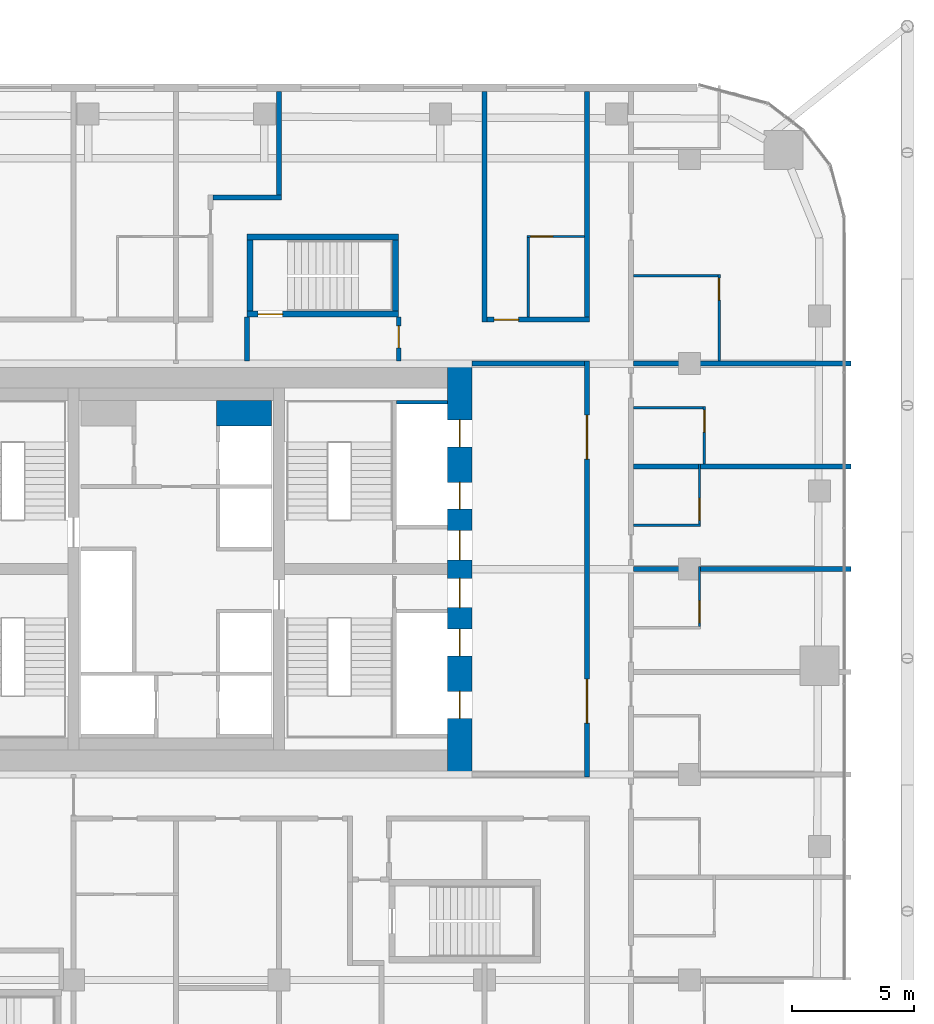
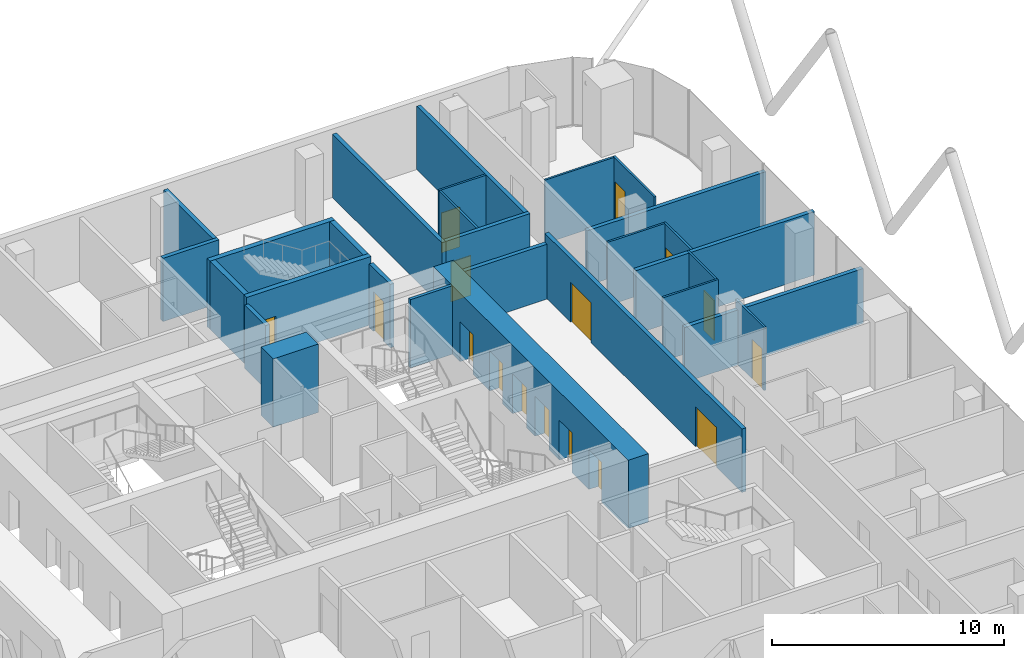
# One storey, part 30 of 33: 28 walls, 16 doors, 16 openings.
"""IFC4 building model written with IfcOpenShell, lengths in metres."""

import ifcopenshell
import ifcopenshell.guid

model = None  # the IFC model being written
_history = None  # IfcOwnerHistory: only IFC2X3 demands one
_inside = {}  # id of a spatial element -> (the spatial element, [elements in it])
_under = {}  # id of a project, library or spatial element -> (it, [spatial elements below it])
_declared = {}  # id of a project -> (the project, [libraries it declares])
_typed = {}  # id of a type object -> (the type object, [elements of that type])
_made_of = {}  # id of a material, layer set ... -> (it, [elements and type objects made of it])


def new_model(schema):
    """Start an empty IFC model of exactly this schema.

    Asked for "IFC4X3", IfcOpenShell would pick the latest addendum, in which some entities
    have other attributes; the version numbers below select the first issue.
    IFC2X3 requires an IfcOwnerHistory on every rooted entity: one is made here for all.
    """
    global model, _history
    if schema == "IFC4X3":
        model = ifcopenshell.file(schema_version=(4, 3, 0, 0))
    else:
        model = ifcopenshell.file(schema=schema)
    _inside.clear()
    _under.clear()
    _declared.clear()
    _typed.clear()
    _made_of.clear()
    _history = None
    if model.schema == "IFC2X3":
        org = make("IfcOrganization", Name="unknown")
        user = make(
            "IfcPersonAndOrganization",
            ThePerson=make("IfcPerson", FamilyName="unknown"),
            TheOrganization=org,
        )
        app = make(
            "IfcApplication",
            ApplicationDeveloper=org,
            Version="unknown",
            ApplicationFullName="unknown",
            ApplicationIdentifier="unknown",
        )
        _history = make(
            "IfcOwnerHistory",
            OwningUser=user,
            OwningApplication=app,
            ChangeAction="ADDED",
            CreationDate=0,
        )
    return model


def make(cls, **values):
    """One entity of the class cls with the attributes given. An attribute that is None is left unset."""
    return model.create_entity(
        cls, **{name: value for name, value in values.items() if value is not None}
    )


def rooted(cls, **values):
    """An entity with a GlobalId (a new one), such as an element, a storey or a relation."""
    return make(cls, GlobalId=ifcopenshell.guid.new(), OwnerHistory=_history, **values)


def si_unit(unit_type, name, prefix=None):
    """IfcSIUnit, for example si_unit("LENGTHUNIT", "METRE", prefix="MILLI")."""
    return make("IfcSIUnit", UnitType=unit_type, Prefix=prefix, Name=name)


def assignment(units):
    """IfcUnitAssignment: the units of a project."""
    return None if units is None else make("IfcUnitAssignment", Units=units)


def point(xyz):
    """IfcCartesianPoint."""
    return None if xyz is None else make("IfcCartesianPoint", Coordinates=xyz)


def direction(xyz):
    """IfcDirection."""
    return None if xyz is None else make("IfcDirection", DirectionRatios=xyz)


def frame(location, z_axis=None, x_axis=None):
    """IfcAxis2Placement3D, a coordinate frame: its origin and axes. An axis left out is left unset."""
    return make(
        "IfcAxis2Placement3D",
        Location=point(location),
        Axis=direction(z_axis),
        RefDirection=direction(x_axis),
    )


def frame_2d(location, x_axis=None):
    """IfcAxis2Placement2D, a coordinate frame in the plane: its origin and x axis."""
    return make(
        "IfcAxis2Placement2D", Location=point(location), RefDirection=direction(x_axis)
    )


def origin():
    """The frame at (0, 0, 0) with its axes left unset."""
    return frame((0.0, 0.0, 0.0))


def place(relative_to, where):
    """IfcLocalPlacement: puts the frame where relative to a parent placement (None: the world)."""
    return make(
        "IfcLocalPlacement", PlacementRelTo=relative_to, RelativePlacement=where
    )


def context(
    kind, dimensions, precision=None, world=None, true_north=None, identifier=None
):
    """IfcGeometricRepresentationContext, for example the 3D "Model" context."""
    return make(
        "IfcGeometricRepresentationContext",
        ContextIdentifier=identifier,
        ContextType=kind,
        CoordinateSpaceDimension=dimensions,
        Precision=precision,
        WorldCoordinateSystem=world,
        TrueNorth=true_north,
    )


def subcontext(parent, identifier, kind, view, scale=None):
    """IfcGeometricRepresentationSubContext, for example "Body" below "Model"."""
    return make(
        "IfcGeometricRepresentationSubContext",
        ContextIdentifier=identifier,
        ContextType=kind,
        ParentContext=parent,
        TargetScale=scale,
        TargetView=view,
    )


def project(units=None, contexts=None):
    """IfcProject with its units and contexts."""
    return rooted(
        "IfcProject",
        Name="project",
        RepresentationContexts=contexts,
        UnitsInContext=assignment(units),
    )


def spatial(cls, under=None, at=None, **own):
    """A site, building, storey or space (cls), placed at a placement, below another one or the project."""
    s = rooted(cls, ObjectPlacement=at, **own)
    if under is not None:
        _under.setdefault(under.id(), (under, []))[1].append(s)
    return s


def profile(cls, at=None, kind="AREA", **sizes):
    """A parametric profile (cls). Its sizes go by their IFC names, for example OverallWidth=200.0."""
    return make(cls, ProfileType=kind, Position=at, **sizes)


def rectangle(**sizes):
    """IfcRectangleProfileDef."""
    return profile("IfcRectangleProfileDef", **sizes)


def extrude(swept, where, along, depth):
    """IfcExtrudedAreaSolid: the profile swept, set in the frame where, extruded along a direction by depth."""
    return make(
        "IfcExtrudedAreaSolid",
        SweptArea=swept,
        Position=where,
        ExtrudedDirection=direction(along),
        Depth=depth,
    )


def shape(context_of_items, identifier, shape_type, items):
    """IfcShapeRepresentation: the items that make up one representation, for example the "Body"."""
    return make(
        "IfcShapeRepresentation",
        ContextOfItems=context_of_items,
        RepresentationIdentifier=identifier,
        RepresentationType=shape_type,
        Items=items,
    )


def material(Name=None, Category=None):
    """IfcMaterial."""
    return make("IfcMaterial", Name=Name, Category=Category)


def layer(
    of_material, thickness, ventilated=None, Name=None, Category=None, Priority=None
):
    """IfcMaterialLayer: one layer of a wall or slab, of a material (None: an air gap)."""
    return make(
        "IfcMaterialLayer",
        Material=of_material,
        LayerThickness=thickness,
        IsVentilated=ventilated,
        Name=Name,
        Category=Category,
        Priority=Priority,
    )


def layer_set(layers, Name=None):
    """IfcMaterialLayerSet."""
    return make("IfcMaterialLayerSet", MaterialLayers=layers, LayerSetName=Name)


def made_of(thing, what):
    """Note that an element or type object is made of a material, layer set ...; save() writes the relation."""
    if what is not None:
        _made_of.setdefault(what.id(), (what, []))[1].append(thing)
    return thing


def type_object(cls, material=None, **own):
    """A type object (cls), such as IfcWallType, which elements share."""
    return made_of(rooted(cls, **own), material)


def element(
    cls,
    number,
    at=None,
    inside=None,
    cuts=None,
    type_object=None,
    material=None,
    context=None,
    identifier="Body",
    shape_type=None,
    held_by="IfcProductDefinitionShape",
    body=None,
    shapes=None,
    **own,
):
    """One element of the class cls, such as IfcWall. Its Tag is "e" and its number.

    at: its placement. inside: the storey or other place that contains it. cuts: it is an
    opening in that element (IfcRelVoidsElement). A single representation is given by context,
    identifier, shape_type and body (its items); several are given by shapes. held_by: the class
    of the entity that holds the representations. save() writes the other relations.
    """
    e = rooted(cls, Tag="e%d" % number, ObjectPlacement=at, **own)
    if body is not None:
        shapes = [shape(context, identifier, shape_type, body)]
    if shapes is not None:
        e.Representation = make(held_by, Representations=shapes)
    if inside is not None:
        _inside.setdefault(inside.id(), (inside, []))[1].append(e)
    if cuts is not None:
        rooted(
            "IfcRelVoidsElement", RelatingBuildingElement=cuts, RelatedOpeningElement=e
        )
    if type_object is not None:
        _typed.setdefault(type_object.id(), (type_object, []))[1].append(e)
    return made_of(e, material)


def fill(opening, filler):
    """IfcRelFillsElement: the door or window that sits in an opening."""
    return rooted(
        "IfcRelFillsElement",
        RelatingOpeningElement=opening,
        RelatedBuildingElement=filler,
    )


def aggregate(whole, parts):
    """IfcRelAggregates: a whole, such as a stair, and the parts it consists of."""
    return rooted("IfcRelAggregates", RelatingObject=whole, RelatedObjects=parts)


def save(model, path):
    """Write the relations noted so far, then the file.

    IfcRelAggregates (storeys below a building ...), IfcRelContainedInSpatialStructure (elements
    in a storey), IfcRelDefinesByType, IfcRelAssociatesMaterial and IfcRelDeclares: one each for
    every whole, place, type object, material and project.
    """
    for whole, parts in _under.values():
        aggregate(whole, parts)
    for where, things in _inside.values():
        rooted(
            "IfcRelContainedInSpatialStructure",
            RelatedElements=things,
            RelatingStructure=where,
        )
    for kind, things in _typed.values():
        rooted("IfcRelDefinesByType", RelatedObjects=things, RelatingType=kind)
    for what, things in _made_of.values():
        rooted("IfcRelAssociatesMaterial", RelatedObjects=things, RelatingMaterial=what)
    for by, libraries in _declared.values():
        rooted("IfcRelDeclares", RelatingContext=by, RelatedDefinitions=libraries)
    model.write(path)


model = new_model("IFC4")

# Units and contexts
model_context = context("Model", 3, precision=1e-05, world=origin(), true_north=direction((0.0, 1.0)))
body_context = subcontext(model_context, "Body", "Model", "MODEL_VIEW")
ifc_project = project(units=[si_unit("LENGTHUNIT", "METRE"), si_unit("AREAUNIT", "SQUARE_METRE"), si_unit("VOLUMEUNIT", "CUBIC_METRE"), si_unit("PLANEANGLEUNIT", "RADIAN"), si_unit("MASSUNIT", "GRAM", prefix="KILO")], contexts=[model_context])

# Site, building, storey
site_placement = place(None, origin())
site = spatial("IfcSite", under=ifc_project, at=site_placement, CompositionType="ELEMENT")
building_placement = place(site_placement, origin())
building = spatial("IfcBuilding", under=site, at=building_placement, Name="Marenta Gate Hotel Tower", CompositionType="ELEMENT")
storey_placement = place(building_placement, frame((0.0, 0.0, 137.300048828125)))
storey = spatial("IfcBuildingStorey", under=building, at=storey_placement, Name="L31", CompositionType="ELEMENT", Elevation=137.300048828125)

# Wall, openings, doors
ifc_material_1 = material(Name="Concrete blockwork", Category="masonry")
ifc_layer_1 = layer(ifc_material_1, 0.199951171875)
ifc_layer_set_1 = layer_set([ifc_layer_1], Name="Concrete blockwork")
wall_type_1 = type_object("IfcWallType", Name="Core boundary wall 200 REI 180", PredefinedType="PARTITIONING", material=ifc_layer_set_1)
wall_1_placement = place(storey_placement, frame((16.800048828125, -0.10009765625, 0.0), z_axis=(0.0, 0.0, 1.0), x_axis=(0.0, 1.0, 0.0)))
wall_1 = element("IfcWall", 1, at=wall_1_placement, inside=storey, type_object=wall_type_1, Name="L31-CP-BW-E", PredefinedType="PARTITIONING", context=body_context, shape_type="SweptSolid", body=[
    extrude(rectangle(XDim=17.0, YDim=0.199951171875, at=frame_2d((8.5, 0.0))), origin(), (0.0, 0.0, 1.0), 3.33984375),
])
opening_1_placement = place(wall_1_placement, frame((2.199951171875, 0.0, 0.0)))
opening_1 = element("IfcOpeningElement", 2, at=opening_1_placement, cuts=wall_1, Name="Opening ED-Ea-B", PredefinedType="OPENING", context=body_context, shape_type="SweptSolid", body=[
    extrude(rectangle(XDim=1.800048828125, YDim=2.10009765625, at=frame_2d((0.89990234375, 1.050048828125))), frame((0.0, 0.10009765625, 0.0), z_axis=(0.0, -1.0, 0.0), x_axis=(1.0, 0.0, 0.0)), (0.0, 0.0, 1.0), 0.199951171875),
])
opening_2_placement = place(wall_1_placement, frame((13.0, 0.0, 0.0)))
opening_2 = element("IfcOpeningElement", 3, at=opening_2_placement, cuts=wall_1, Name="Opening ED-Eb-B", PredefinedType="OPENING", context=body_context, shape_type="SweptSolid", body=[
    extrude(rectangle(XDim=1.800048828125, YDim=2.10009765625, at=frame_2d((0.89990234375, 1.050048828125))), frame((0.0, 0.10009765625, 0.0), z_axis=(0.0, -1.0, 0.0), x_axis=(1.0, 0.0, 0.0)), (0.0, 0.0, 1.0), 0.199951171875),
])
ifc_material_2 = material(Name="Steel", Category="steel")
door_type_1 = type_object("IfcDoorType", Name="Core lobby entrance door 1800x2100 EI 60", OperationType="DOUBLE_DOOR_SINGLE_SWING", PredefinedType="DOOR", material=ifc_material_2)
door_1_placement = place(opening_1_placement, origin())
door_1 = element("IfcDoor", 4, at=door_1_placement, inside=storey, type_object=door_type_1, Name="ED-Ea-B", OperationType="DOUBLE_DOOR_SINGLE_SWING", OverallHeight=2.10009765625, OverallWidth=1.800048828125, PredefinedType="DOOR", context=body_context, shape_type="SweptSolid", body=[
    extrude(rectangle(XDim=1.800048828125, YDim=2.10009765625, at=frame_2d((0.89990234375, 1.050048828125))), frame((0.0, 0.02490234375, 0.0), z_axis=(0.0, -1.0, 0.0), x_axis=(1.0, 0.0, 0.0)), (0.0, 0.0, 1.0), 0.050048828125),
])
fill(opening_1, door_1)
door_2_placement = place(opening_2_placement, origin())
door_2 = element("IfcDoor", 5, at=door_2_placement, inside=storey, type_object=door_type_1, Name="ED-Eb-B", OperationType="DOUBLE_DOOR_SINGLE_SWING", OverallHeight=2.10009765625, OverallWidth=1.800048828125, PredefinedType="DOOR", context=body_context, shape_type="SweptSolid", body=[
    extrude(rectangle(XDim=1.800048828125, YDim=2.10009765625, at=frame_2d((0.89990234375, 1.050048828125))), frame((0.0, 0.02490234375, 0.0), z_axis=(0.0, -1.0, 0.0), x_axis=(1.0, 0.0, 0.0)), (0.0, 0.0, 1.0), 0.050048828125),
])
fill(opening_2, door_2)

# Walls
wall_2_placement = place(storey_placement, frame((12.10009765625, 16.800048828125, 0.0), z_axis=(0.0, 0.0, 1.0), x_axis=(1.0, 0.0, 0.0)))
element("IfcWall", 6, at=wall_2_placement, inside=storey, type_object=wall_type_1, Name="L31-CP-EW-EN", PredefinedType="PARTITIONING", context=body_context, shape_type="SweptSolid", body=[
    extrude(rectangle(XDim=4.599853515625, YDim=0.199951171875, at=frame_2d((2.2998046875, 0.0))), origin(), (0.0, 0.0, 1.0), 2.889892578125),
])
ifc_material_3 = material(Name="Concrete C40", Category="concrete")
ifc_layer_2 = layer(ifc_material_3, 1.050048828125)
ifc_layer_set_2 = layer_set([ifc_layer_2], Name="Concrete C40")
wall_type_2 = type_object("IfcWallType", Name="Core shaft wall 1050 REI 180", PredefinedType="SHEAR", material=ifc_layer_set_2)
wall_3_placement = place(storey_placement, frame((1.64990234375, 14.77490234375, 0.0), z_axis=(0.0, 0.0, 1.0), x_axis=(1.0, 0.0, 0.0)))
element("IfcWall", 7, at=wall_3_placement, inside=storey, type_object=wall_type_2, Name="L31-SHF-CE-N-top", PredefinedType="SHEAR", context=body_context, shape_type="SweptSolid", body=[
    extrude(rectangle(XDim=2.25, YDim=1.050048828125, at=frame_2d((1.125, 0.0))), origin(), (0.0, 0.0, 1.0), 3.599853515625),
])
ifc_material_4 = material(Name="Concrete C40", Category="concrete")
ifc_layer_3 = layer(ifc_material_4, 0.14990234375)
ifc_layer_set_3 = layer_set([ifc_layer_3], Name="Concrete C40")
wall_type_3 = type_object("IfcWallType", Name="Core shaft wall 150 REI 180", PredefinedType="SHEAR", material=ifc_layer_set_3)
wall_4_placement = place(storey_placement, frame((9.0, 15.22509765625, 0.0), z_axis=(0.0, 0.0, 1.0), x_axis=(1.0, 0.0, 0.0)))
element("IfcWall", 8, at=wall_4_placement, inside=storey, type_object=wall_type_3, Name="L31-SHF-SW-EN-5", PredefinedType="SHEAR", context=body_context, shape_type="SweptSolid", body=[
    extrude(rectangle(XDim=2.10009765625, YDim=0.14990234375, at=frame_2d((1.050048828125, 0.0))), origin(), (0.0, 0.0, 1.0), 3.599853515625),
])

# Wall, openings, doors
ifc_material_5 = material(Name="Concrete C70", Category="concrete")
ifc_layer_4 = layer(ifc_material_5, 1.0)
ifc_layer_set_4 = layer_set([ifc_layer_4], Name="Concrete C70")
wall_type_4 = type_object("IfcWallType", Name="Core wall 1000 C70", PredefinedType="SHEAR", material=ifc_layer_set_4)
wall_5_placement = place(storey_placement, frame((11.60009765625, 0.0, 0.0), z_axis=(0.0, 0.0, 1.0), x_axis=(0.0, 1.0, 0.0)))
wall_5 = element("IfcWall", 9, at=wall_5_placement, inside=storey, type_object=wall_type_4, Name="L31-CORE-E", PredefinedType="SHEAR", context=body_context, shape_type="SweptSolid", body=[
    extrude(rectangle(XDim=16.800048828125, YDim=1.0, at=frame_2d((8.39990234375, 0.0))), origin(), (0.0, 0.0, 1.0), 3.599853515625),
])
opening_3_placement = place(wall_5_placement, frame((2.300048828125, 0.0, 0.0)))
opening_3 = element("IfcOpeningElement", 10, at=opening_3_placement, cuts=wall_5, Name="Opening LD-HR1", PredefinedType="OPENING", context=body_context, shape_type="SweptSolid", body=[
    extrude(rectangle(XDim=1.10009765625, YDim=2.10009765625, at=frame_2d((0.550048828125, 1.050048828125))), frame((0.0, 0.5, 0.0), z_axis=(0.0, -1.0, 0.0), x_axis=(1.0, 0.0, 0.0)), (0.0, 0.0, 1.0), 1.0),
])
opening_4_placement = place(wall_5_placement, frame((4.85009765625, 0.0, 0.0)))
opening_4 = element("IfcOpeningElement", 11, at=opening_4_placement, cuts=wall_5, Name="Opening LD-HR2", PredefinedType="OPENING", context=body_context, shape_type="SweptSolid", body=[
    extrude(rectangle(XDim=1.10009765625, YDim=2.10009765625, at=frame_2d((0.550048828125, 1.050048828125))), frame((0.0, 0.5, 0.0), z_axis=(0.0, -1.0, 0.0), x_axis=(1.0, 0.0, 0.0)), (0.0, 0.0, 1.0), 1.0),
])
opening_5_placement = place(wall_5_placement, frame((6.824951171875, 0.0, 0.0)))
opening_5 = element("IfcOpeningElement", 12, at=opening_5_placement, cuts=wall_5, Name="Opening PD-ES", PredefinedType="OPENING", context=body_context, shape_type="SweptSolid", body=[
    extrude(rectangle(XDim=1.199951171875, YDim=2.10009765625, at=frame_2d((0.60009765625, 1.050048828125))), frame((0.0, 0.5, 0.0), z_axis=(0.0, -1.0, 0.0), x_axis=(1.0, 0.0, 0.0)), (0.0, 0.0, 1.0), 1.0),
])
opening_6_placement = place(wall_5_placement, frame((13.39990234375, 0.0, 0.0)))
opening_6 = element("IfcOpeningElement", 13, at=opening_6_placement, cuts=wall_5, Name="Opening LD-HR4", PredefinedType="OPENING", context=body_context, shape_type="SweptSolid", body=[
    extrude(rectangle(XDim=1.10009765625, YDim=2.10009765625, at=frame_2d((0.550048828125, 1.050048828125))), frame((0.0, 0.5, 0.0), z_axis=(0.0, -1.0, 0.0), x_axis=(1.0, 0.0, 0.0)), (0.0, 0.0, 1.0), 1.0),
])
opening_7_placement = place(wall_5_placement, frame((10.85009765625, 0.0, 0.0)))
opening_7 = element("IfcOpeningElement", 14, at=opening_7_placement, cuts=wall_5, Name="Opening LD-HR3", PredefinedType="OPENING", context=body_context, shape_type="SweptSolid", body=[
    extrude(rectangle(XDim=1.10009765625, YDim=2.10009765625, at=frame_2d((0.550048828125, 1.050048828125))), frame((0.0, 0.5, 0.0), z_axis=(0.0, -1.0, 0.0), x_axis=(1.0, 0.0, 0.0)), (0.0, 0.0, 1.0), 1.0),
])
opening_8_placement = place(wall_5_placement, frame((8.77490234375, 0.0, 0.0)))
opening_8 = element("IfcOpeningElement", 15, at=opening_8_placement, cuts=wall_5, Name="Opening PD-EN", PredefinedType="OPENING", context=body_context, shape_type="SweptSolid", body=[
    extrude(rectangle(XDim=1.199951171875, YDim=2.10009765625, at=frame_2d((0.60009765625, 1.050048828125))), frame((0.0, 0.5, 0.0), z_axis=(0.0, -1.0, 0.0), x_axis=(1.0, 0.0, 0.0)), (0.0, 0.0, 1.0), 1.0),
])
ifc_material_6 = material(Name="Steel", Category="steel")
door_type_2 = type_object("IfcDoorType", Name="Core lift landing door 1100x2100 E 60", OperationType="SLIDING_TO_LEFT", PredefinedType="DOOR", material=ifc_material_6)
door_3_placement = place(opening_3_placement, origin())
door_3 = element("IfcDoor", 16, at=door_3_placement, inside=storey, type_object=door_type_2, Name="LD-HR1", OperationType="SLIDING_TO_LEFT", OverallHeight=2.10009765625, OverallWidth=1.10009765625, PredefinedType="DOOR", context=body_context, shape_type="SweptSolid", body=[
    extrude(rectangle(XDim=1.10009765625, YDim=2.10009765625, at=frame_2d((0.550048828125, 1.050048828125))), frame((0.0, 0.02490234375, 0.0), z_axis=(0.0, -1.0, 0.0), x_axis=(1.0, 0.0, 0.0)), (0.0, 0.0, 1.0), 0.050048828125),
])
fill(opening_3, door_3)
door_4_placement = place(opening_4_placement, origin())
door_4 = element("IfcDoor", 17, at=door_4_placement, inside=storey, type_object=door_type_2, Name="LD-HR2", OperationType="SLIDING_TO_LEFT", OverallHeight=2.10009765625, OverallWidth=1.10009765625, PredefinedType="DOOR", context=body_context, shape_type="SweptSolid", body=[
    extrude(rectangle(XDim=1.10009765625, YDim=2.10009765625, at=frame_2d((0.550048828125, 1.050048828125))), frame((0.0, 0.02490234375, 0.0), z_axis=(0.0, -1.0, 0.0), x_axis=(1.0, 0.0, 0.0)), (0.0, 0.0, 1.0), 0.050048828125),
])
fill(opening_4, door_4)
door_5_placement = place(opening_6_placement, origin())
door_5 = element("IfcDoor", 18, at=door_5_placement, inside=storey, type_object=door_type_2, Name="LD-HR4", OperationType="SLIDING_TO_LEFT", OverallHeight=2.10009765625, OverallWidth=1.10009765625, PredefinedType="DOOR", context=body_context, shape_type="SweptSolid", body=[
    extrude(rectangle(XDim=1.10009765625, YDim=2.10009765625, at=frame_2d((0.550048828125, 1.050048828125))), frame((0.0, 0.02490234375, 0.0), z_axis=(0.0, -1.0, 0.0), x_axis=(1.0, 0.0, 0.0)), (0.0, 0.0, 1.0), 0.050048828125),
])
fill(opening_6, door_5)
door_6_placement = place(opening_7_placement, origin())
door_6 = element("IfcDoor", 19, at=door_6_placement, inside=storey, type_object=door_type_2, Name="LD-HR3", OperationType="SLIDING_TO_LEFT", OverallHeight=2.10009765625, OverallWidth=1.10009765625, PredefinedType="DOOR", context=body_context, shape_type="SweptSolid", body=[
    extrude(rectangle(XDim=1.10009765625, YDim=2.10009765625, at=frame_2d((0.550048828125, 1.050048828125))), frame((0.0, 0.02490234375, 0.0), z_axis=(0.0, -1.0, 0.0), x_axis=(1.0, 0.0, 0.0)), (0.0, 0.0, 1.0), 0.050048828125),
])
fill(opening_7, door_6)
ifc_material_7 = material(Name="Steel", Category="steel")
door_type_3 = type_object("IfcDoorType", Name="Core lobby door 1200x2100 FD60", OperationType="SINGLE_SWING_LEFT", PredefinedType="DOOR", material=ifc_material_7)
door_7_placement = place(opening_5_placement, origin())
door_7 = element("IfcDoor", 20, at=door_7_placement, inside=storey, type_object=door_type_3, Name="PD-ES", OperationType="SINGLE_SWING_LEFT", OverallHeight=2.10009765625, OverallWidth=1.199951171875, PredefinedType="DOOR", context=body_context, shape_type="SweptSolid", body=[
    extrude(rectangle(XDim=1.199951171875, YDim=2.10009765625, at=frame_2d((0.60009765625, 1.050048828125))), frame((0.0, 0.02490234375, 0.0), z_axis=(0.0, -1.0, 0.0), x_axis=(1.0, 0.0, 0.0)), (0.0, 0.0, 1.0), 0.050048828125),
])
fill(opening_5, door_7)
door_8_placement = place(opening_8_placement, origin())
door_8 = element("IfcDoor", 21, at=door_8_placement, inside=storey, type_object=door_type_3, Name="PD-EN", OperationType="SINGLE_SWING_LEFT", OverallHeight=2.10009765625, OverallWidth=1.199951171875, PredefinedType="DOOR", context=body_context, shape_type="SweptSolid", body=[
    extrude(rectangle(XDim=1.199951171875, YDim=2.10009765625, at=frame_2d((0.60009765625, 1.050048828125))), frame((0.0, 0.02490234375, 0.0), z_axis=(0.0, -1.0, 0.0), x_axis=(1.0, 0.0, 0.0)), (0.0, 0.0, 1.0), 0.050048828125),
])
fill(opening_8, door_8)

# Wall, opening, door
ifc_material_8 = material(Name="Concrete C40", Category="concrete")
ifc_layer_5 = layer(ifc_material_8, 0.25)
ifc_layer_set_5 = layer_set([ifc_layer_5], Name="Concrete C40")
wall_type_5 = type_object("IfcWallType", Name="Remote stair enclosure wall 250 REI 180", PredefinedType="SHEAR", material=ifc_layer_set_5)
wall_6_placement = place(storey_placement, frame((2.89990234375, 18.824951171875, 0.099853515625), z_axis=(0.0, 0.0, 1.0), x_axis=(1.0, 0.0, 0.0)))
wall_6 = element("IfcWall", 22, at=wall_6_placement, inside=storey, type_object=wall_type_5, Name="L31-RS-Z2-4-W1", PredefinedType="SHEAR", context=body_context, shape_type="SweptSolid", body=[
    extrude(rectangle(XDim=6.2001953125, YDim=0.25, at=frame_2d((3.10009765625, 0.0))), origin(), (0.0, 0.0, 1.0), 3.60009765625),
])
opening_9_placement = place(wall_6_placement, frame((0.449951171875, 0.0, 0.0)))
opening_9 = element("IfcOpeningElement", 23, at=opening_9_placement, cuts=wall_6, Name="Opening VD", PredefinedType="OPENING", context=body_context, shape_type="SweptSolid", body=[
    extrude(rectangle(XDim=1.0, YDim=2.10009765625, at=frame_2d((0.5, 1.050048828125))), frame((0.0, 0.125, 0.0), z_axis=(0.0, -1.0, 0.0), x_axis=(1.0, 0.0, 0.0)), (0.0, 0.0, 1.0), 0.25),
])
ifc_material_9 = material(Name="Steel", Category="steel")
door_type_4 = type_object("IfcDoorType", Name="Stair vestibule door 1000x2100 FD60", OperationType="SINGLE_SWING_LEFT", PredefinedType="DOOR", material=ifc_material_9)
door_9_placement = place(opening_9_placement, origin())
door_9 = element("IfcDoor", 24, at=door_9_placement, inside=storey, type_object=door_type_4, Name="VD", OperationType="SINGLE_SWING_LEFT", OverallHeight=2.10009765625, OverallWidth=1.0, PredefinedType="DOOR", context=body_context, shape_type="SweptSolid", body=[
    extrude(rectangle(XDim=1.0, YDim=2.10009765625, at=frame_2d((0.5, 1.050048828125))), frame((0.0, 0.02490234375, 0.0), z_axis=(0.0, -1.0, 0.0), x_axis=(1.0, 0.0, 0.0)), (0.0, 0.0, 1.0), 0.050048828125),
])
fill(opening_9, door_9)

# Walls
wall_7_placement = place(storey_placement, frame((2.89990234375, 21.97509765625, 0.099853515625), z_axis=(0.0, 0.0, 1.0), x_axis=(1.0, 0.0, 0.0)))
element("IfcWall", 25, at=wall_7_placement, inside=storey, type_object=wall_type_5, Name="L31-RS-Z2-4-W2", PredefinedType="SHEAR", context=body_context, shape_type="SweptSolid", body=[
    extrude(rectangle(XDim=6.2001953125, YDim=0.25, at=frame_2d((3.10009765625, 0.0))), origin(), (0.0, 0.0, 1.0), 3.60009765625),
])
for number, where, z_axis, x_axis, name in (
    (26, (3.02490234375, 18.949951171875, 0.099853515625), (0.0, 0.0, 1.0), (0.0, 1.0, 0.0), "L31-RS-Z2-4-W3"),
    (27, (8.97509765625, 18.949951171875, 0.099853515625), (0.0, 0.0, 1.0), (0.0, 1.0, 0.0), "L31-RS-Z2-4-W4"),
):
    element("IfcWall", number, at=place(storey_placement, frame(where, z_axis=z_axis, x_axis=x_axis)), inside=storey, type_object=wall_type_5, Name=name, PredefinedType="SHEAR", context=body_context, shape_type="SweptSolid", body=[
        extrude(rectangle(XDim=2.900146484375, YDim=0.25, at=frame_2d((1.4501953125, 0.0))), origin(), (0.0, 0.0, 1.0), 3.60009765625),
    ])
ifc_material_10 = material(Name="Gypsum board on steel stud", Category="steel")
ifc_layer_6 = layer(ifc_material_10, 0.199951171875)
ifc_layer_set_6 = layer_set([ifc_layer_6], Name="Gypsum board on steel stud")
wall_type_6 = type_object("IfcWallType", Name="Room corridor wall 200 EI 60", PredefinedType="PARTITIONING", material=ifc_layer_set_6)
wall_8_placement = place(storey_placement, frame((16.800048828125, 18.699951171875, 0.0), z_axis=(0.0, 0.0, 1.0), x_axis=(0.0, 1.0, 0.0)))
element("IfcWall", 28, at=wall_8_placement, inside=storey, type_object=wall_type_6, Name="L31-PTN-W019", PredefinedType="PARTITIONING", context=body_context, shape_type="SweptSolid", body=[
    extrude(rectangle(XDim=9.239990234375, YDim=0.199951171875, at=frame_2d((4.6201171875, 0.0))), origin(), (0.0, 0.0, 1.0), 3.33984375),
])
wall_9_placement = place(storey_placement, frame((12.60009765625, 18.5, 0.0), z_axis=(0.0, 0.0, 1.0), x_axis=(0.0, 1.0, 0.0)))
element("IfcWall", 29, at=wall_9_placement, inside=storey, type_object=wall_type_6, Name="L31-PTN-W035", PredefinedType="PARTITIONING", context=body_context, shape_type="SweptSolid", body=[
    extrude(rectangle(XDim=9.43994140625, YDim=0.199951171875, at=frame_2d((4.719970703125, 0.0))), origin(), (0.0, 0.0, 1.0), 3.33984375),
])
wall_10_placement = place(storey_placement, frame((4.199951171875, 23.699951171875, 0.0), z_axis=(0.0, 0.0, 1.0), x_axis=(0.0, 1.0, 0.0)))
element("IfcWall", 30, at=wall_10_placement, inside=storey, type_object=wall_type_6, Name="L31-PTN-W062", PredefinedType="PARTITIONING", context=body_context, shape_type="SweptSolid", body=[
    extrude(rectangle(XDim=4.239990234375, YDim=0.199951171875, at=frame_2d((2.1201171875, 0.0))), origin(), (0.0, 0.0, 1.0), 3.33984375),
])

# Wall, opening, door
wall_11_placement = place(storey_placement, frame((12.699951171875, 18.60009765625, 0.0), z_axis=(0.0, 0.0, 1.0), x_axis=(1.0, 0.0, 0.0)))
wall_11 = element("IfcWall", 31, at=wall_11_placement, inside=storey, type_object=wall_type_6, Name="L31-PTN-W113", PredefinedType="PARTITIONING", context=body_context, shape_type="SweptSolid", body=[
    extrude(rectangle(XDim=4.199951171875, YDim=0.199951171875, at=frame_2d((2.10009765625, 0.0))), origin(), (0.0, 0.0, 1.0), 3.33984375),
])
opening_10_placement = place(wall_11_placement, frame((0.300048828125, 0.0, 0.0)))
opening_10 = element("IfcOpeningElement", 32, at=opening_10_placement, cuts=wall_11, Name="Opening G12-36", PredefinedType="OPENING", context=body_context, shape_type="SweptSolid", body=[
    extrude(rectangle(XDim=1.0, YDim=2.10009765625, at=frame_2d((0.5, 1.050048828125))), frame((0.0, 0.10009765625, 0.0), z_axis=(0.0, -1.0, 0.0), x_axis=(1.0, 0.0, 0.0)), (0.0, 0.0, 1.0), 0.199951171875),
])
ifc_material_11 = material(Name="Timber door leaf", Category="wood")
door_type_5 = type_object("IfcDoorType", Name="Guest room door 1000x2100 EI 30", OperationType="NOTDEFINED", PredefinedType="DOOR", material=ifc_material_11)
door_10_placement = place(opening_10_placement, origin())
door_10 = element("IfcDoor", 33, at=door_10_placement, inside=storey, type_object=door_type_5, Name="L31-PD-D036", OperationType="SINGLE_SWING_LEFT", OverallHeight=2.10009765625, OverallWidth=1.0, PredefinedType="DOOR", context=body_context, shape_type="SweptSolid", body=[
    extrude(rectangle(XDim=1.0, YDim=2.10009765625, at=frame_2d((0.5, 1.050048828125))), frame((0.0, 0.02490234375, 0.0), z_axis=(0.0, -1.0, 0.0), x_axis=(1.0, 0.0, 0.0)), (0.0, 0.0, 1.0), 0.050048828125),
])
fill(opening_10, door_10)

# Wall
wall_12_placement = place(storey_placement, frame((1.5, 23.60009765625, 0.0), z_axis=(0.0, 0.0, 1.0), x_axis=(1.0, 0.0, 0.0)))
element("IfcWall", 34, at=wall_12_placement, inside=storey, type_object=wall_type_6, Name="L31-PTN-W127", PredefinedType="PARTITIONING", context=body_context, shape_type="SweptSolid", body=[
    extrude(rectangle(XDim=2.800048828125, YDim=0.199951171875, at=frame_2d((1.39990234375, 0.0))), origin(), (0.0, 0.0, 1.0), 3.33984375),
])

# Wall, opening, door
ifc_material_12 = material(Name="Concrete blockwork", Category="masonry")
ifc_layer_7 = layer(ifc_material_12, 0.199951171875)
ifc_layer_set_7 = layer_set([ifc_layer_7], Name="Concrete blockwork")
wall_type_7 = type_object("IfcWallType", Name="Room corridor wall 200 REI 180", PredefinedType="PARTITIONING", material=ifc_layer_set_7)
wall_13_placement = place(storey_placement, frame((9.10009765625, 16.89990234375, 0.0), z_axis=(0.0, 0.0, 1.0), x_axis=(0.0, 1.0, 0.0)))
wall_13 = element("IfcWall", 35, at=wall_13_placement, inside=storey, type_object=wall_type_7, Name="L31-PTN-W042", PredefinedType="PARTITIONING", context=body_context, shape_type="SweptSolid", body=[
    extrude(rectangle(XDim=1.800048828125, YDim=0.199951171875, at=frame_2d((0.89990234375, 0.0))), origin(), (0.0, 0.0, 1.0), 3.33984375),
])
opening_11_placement = place(wall_13_placement, frame((0.550048828125, 0.0, 0.0)))
opening_11 = element("IfcOpeningElement", 36, at=opening_11_placement, cuts=wall_13, Name="Opening G12-68", PredefinedType="OPENING", context=body_context, shape_type="SweptSolid", body=[
    extrude(rectangle(XDim=0.89990234375, YDim=2.10009765625, at=frame_2d((0.449951171875, 1.050048828125))), frame((0.0, 0.10009765625, 0.0), z_axis=(0.0, -1.0, 0.0), x_axis=(1.0, 0.0, 0.0)), (0.0, 0.0, 1.0), 0.199951171875),
])
ifc_material_13 = material(Name="Hollow steel door set", Category="steel")
door_type_6 = type_object("IfcDoorType", Name="Stair vestibule door 900x2100 EI 60", OperationType="NOTDEFINED", PredefinedType="DOOR", material=ifc_material_13)
door_11_placement = place(opening_11_placement, origin())
door_11 = element("IfcDoor", 37, at=door_11_placement, inside=storey, type_object=door_type_6, Name="L31-PD-D068", OperationType="SINGLE_SWING_RIGHT", OverallHeight=2.10009765625, OverallWidth=0.89990234375, PredefinedType="DOOR", context=body_context, shape_type="SweptSolid", body=[
    extrude(rectangle(XDim=0.89990234375, YDim=2.10009765625, at=frame_2d((0.449951171875, 1.050048828125))), frame((0.0, 0.02490234375, 0.0), z_axis=(0.0, -1.0, 0.0), x_axis=(1.0, 0.0, 0.0)), (0.0, 0.0, 1.0), 0.050048828125),
])
fill(opening_11, door_11)

# Wall
wall_14_placement = place(storey_placement, frame((2.89990234375, 16.89990234375, 0.0), z_axis=(0.0, 0.0, 1.0), x_axis=(0.0, 1.0, 0.0)))
element("IfcWall", 38, at=wall_14_placement, inside=storey, type_object=wall_type_7, Name="L31-PTN-W065", PredefinedType="PARTITIONING", context=body_context, shape_type="SweptSolid", body=[
    extrude(rectangle(XDim=1.800048828125, YDim=0.199951171875, at=frame_2d((0.89990234375, 0.0))), origin(), (0.0, 0.0, 1.0), 3.33984375),
])

# Wall, opening, door
ifc_material_14 = material(Name="Gypsum board on steel stud", Category="steel")
ifc_layer_8 = layer(ifc_material_14, 0.10009765625)
ifc_layer_set_8 = layer_set([ifc_layer_8], Name="Gypsum board on steel stud")
wall_type_8 = type_object("IfcWallType", Name="Room partition 100", PredefinedType="PARTITIONING", material=ifc_layer_set_8)
wall_15_placement = place(storey_placement, frame((22.199951171875, 16.89990234375, 0.0), z_axis=(0.0, 0.0, 1.0), x_axis=(0.0, 1.0, 0.0)))
wall_15 = element("IfcWall", 39, at=wall_15_placement, inside=storey, type_object=wall_type_8, Name="L31-PTN-W001", PredefinedType="PARTITIONING", context=body_context, shape_type="SweptSolid", body=[
    extrude(rectangle(XDim=3.550048828125, YDim=0.10009765625, at=frame_2d((1.77490234375, 0.0))), origin(), (0.0, 0.0, 1.0), 3.33984375),
])
opening_12_placement = place(wall_15_placement, frame((2.5, 0.0, 0.0)))
opening_12 = element("IfcOpeningElement", 40, at=opening_12_placement, cuts=wall_15, Name="Opening G12-27", PredefinedType="OPENING", context=body_context, shape_type="SweptSolid", body=[
    extrude(rectangle(XDim=0.89990234375, YDim=2.10009765625, at=frame_2d((0.449951171875, 1.050048828125))), frame((0.0, 0.050048828125, 0.0), z_axis=(0.0, -1.0, 0.0), x_axis=(1.0, 0.0, 0.0)), (0.0, 0.0, 1.0), 0.10009765625),
])
ifc_material_15 = material(Name="Timber door leaf", Category="wood")
door_type_7 = type_object("IfcDoorType", Name="Guest bathroom door 900x2100", OperationType="NOTDEFINED", PredefinedType="DOOR", material=ifc_material_15)
door_12_placement = place(opening_12_placement, origin())
door_12 = element("IfcDoor", 41, at=door_12_placement, inside=storey, type_object=door_type_7, Name="L31-PD-D027", OperationType="SINGLE_SWING_RIGHT", OverallHeight=2.10009765625, OverallWidth=0.89990234375, PredefinedType="DOOR", context=body_context, shape_type="SweptSolid", body=[
    extrude(rectangle(XDim=0.89990234375, YDim=2.10009765625, at=frame_2d((0.449951171875, 1.050048828125))), frame((0.0, 0.02490234375, 0.0), z_axis=(0.0, -1.0, 0.0), x_axis=(1.0, 0.0, 0.0)), (0.0, 0.0, 1.0), 0.050048828125),
])
fill(opening_12, door_12)

wall_16_placement = place(storey_placement, frame((21.60009765625, 12.699951171875, 0.0), z_axis=(0.0, 0.0, 1.0), x_axis=(0.0, 1.0, 0.0)))
wall_16 = element("IfcWall", 42, at=wall_16_placement, inside=storey, type_object=wall_type_8, Name="L31-PTN-W007", PredefinedType="PARTITIONING", context=body_context, shape_type="SweptSolid", body=[
    extrude(rectangle(XDim=2.35009765625, YDim=0.10009765625, at=frame_2d((1.175048828125, 0.0))), origin(), (0.0, 0.0, 1.0), 3.33984375),
])
opening_13_placement = place(wall_16_placement, frame((1.300048828125, 0.0, 0.0)))
opening_13 = element("IfcOpeningElement", 43, at=opening_13_placement, cuts=wall_16, Name="Opening G12-25", PredefinedType="OPENING", context=body_context, shape_type="SweptSolid", body=[
    extrude(rectangle(XDim=0.89990234375, YDim=2.10009765625, at=frame_2d((0.449951171875, 1.050048828125))), frame((0.0, 0.050048828125, 0.0), z_axis=(0.0, -1.0, 0.0), x_axis=(1.0, 0.0, 0.0)), (0.0, 0.0, 1.0), 0.10009765625),
])
door_13_placement = place(opening_13_placement, origin())
door_13 = element("IfcDoor", 44, at=door_13_placement, inside=storey, type_object=door_type_7, Name="L31-PD-D025", OperationType="SINGLE_SWING_RIGHT", OverallHeight=2.10009765625, OverallWidth=0.89990234375, PredefinedType="DOOR", context=body_context, shape_type="SweptSolid", body=[
    extrude(rectangle(XDim=0.89990234375, YDim=2.10009765625, at=frame_2d((0.449951171875, 1.050048828125))), frame((0.0, 0.02490234375, 0.0), z_axis=(0.0, -1.0, 0.0), x_axis=(1.0, 0.0, 0.0)), (0.0, 0.0, 1.0), 0.050048828125),
])
fill(opening_13, door_13)

wall_17_placement = place(storey_placement, frame((21.39990234375, 6.050048828125, 0.0), z_axis=(0.0, 0.0, 1.0), x_axis=(0.0, 1.0, 0.0)))
wall_17 = element("IfcWall", 45, at=wall_17_placement, inside=storey, type_object=wall_type_8, Name="L31-PTN-W010", PredefinedType="PARTITIONING", context=body_context, shape_type="SweptSolid", body=[
    extrude(rectangle(XDim=2.449951171875, YDim=0.10009765625, at=frame_2d((1.22509765625, 0.0))), origin(), (0.0, 0.0, 1.0), 3.33984375),
])
opening_14_placement = place(wall_17_placement, frame((0.14990234375, 0.0, 0.0)))
opening_14 = element("IfcOpeningElement", 46, at=opening_14_placement, cuts=wall_17, Name="Opening G12-21", PredefinedType="OPENING", context=body_context, shape_type="SweptSolid", body=[
    extrude(rectangle(XDim=0.89990234375, YDim=2.10009765625, at=frame_2d((0.449951171875, 1.050048828125))), frame((0.0, 0.050048828125, 0.0), z_axis=(0.0, -1.0, 0.0), x_axis=(1.0, 0.0, 0.0)), (0.0, 0.0, 1.0), 0.10009765625),
])
door_14_placement = place(opening_14_placement, origin())
door_14 = element("IfcDoor", 47, at=door_14_placement, inside=storey, type_object=door_type_7, Name="L31-PD-D021", OperationType="SINGLE_SWING_LEFT", OverallHeight=2.10009765625, OverallWidth=0.89990234375, PredefinedType="DOOR", context=body_context, shape_type="SweptSolid", body=[
    extrude(rectangle(XDim=0.89990234375, YDim=2.10009765625, at=frame_2d((0.449951171875, 1.050048828125))), frame((0.0, 0.02490234375, 0.0), z_axis=(0.0, -1.0, 0.0), x_axis=(1.0, 0.0, 0.0)), (0.0, 0.0, 1.0), 0.050048828125),
])
fill(opening_14, door_14)

wall_18_placement = place(storey_placement, frame((21.39990234375, 10.25, 0.0), z_axis=(0.0, 0.0, 1.0), x_axis=(0.0, 1.0, 0.0)))
wall_18 = element("IfcWall", 48, at=wall_18_placement, inside=storey, type_object=wall_type_8, Name="L31-PTN-W011", PredefinedType="PARTITIONING", context=body_context, shape_type="SweptSolid", body=[
    extrude(rectangle(XDim=2.449951171875, YDim=0.10009765625, at=frame_2d((1.22509765625, 0.0))), origin(), (0.0, 0.0, 1.0), 3.33984375),
])
opening_15_placement = place(wall_18_placement, frame((0.14990234375, 0.0, 0.0)))
opening_15 = element("IfcOpeningElement", 49, at=opening_15_placement, cuts=wall_18, Name="Opening G12-23", PredefinedType="OPENING", context=body_context, shape_type="SweptSolid", body=[
    extrude(rectangle(XDim=0.89990234375, YDim=2.10009765625, at=frame_2d((0.449951171875, 1.050048828125))), frame((0.0, 0.050048828125, 0.0), z_axis=(0.0, -1.0, 0.0), x_axis=(1.0, 0.0, 0.0)), (0.0, 0.0, 1.0), 0.10009765625),
])
door_15_placement = place(opening_15_placement, origin())
door_15 = element("IfcDoor", 50, at=door_15_placement, inside=storey, type_object=door_type_7, Name="L31-PD-D023", OperationType="SINGLE_SWING_LEFT", OverallHeight=2.10009765625, OverallWidth=0.89990234375, PredefinedType="DOOR", context=body_context, shape_type="SweptSolid", body=[
    extrude(rectangle(XDim=0.89990234375, YDim=2.10009765625, at=frame_2d((0.449951171875, 1.050048828125))), frame((0.0, 0.02490234375, 0.0), z_axis=(0.0, -1.0, 0.0), x_axis=(1.0, 0.0, 0.0)), (0.0, 0.0, 1.0), 0.050048828125),
])
fill(opening_15, door_15)

# Walls
wall_19_placement = place(storey_placement, frame((14.39990234375, 18.699951171875, 0.0), z_axis=(0.0, 0.0, 1.0), x_axis=(0.0, 1.0, 0.0)))
element("IfcWall", 51, at=wall_19_placement, inside=storey, type_object=wall_type_8, Name="L31-PTN-W026", PredefinedType="PARTITIONING", context=body_context, shape_type="SweptSolid", body=[
    extrude(rectangle(XDim=3.25, YDim=0.10009765625, at=frame_2d((1.625, 0.0))), origin(), (0.0, 0.0, 1.0), 3.33984375),
])
wall_20_placement = place(storey_placement, frame((18.699951171875, 10.199951171875, 0.0), z_axis=(0.0, 0.0, 1.0), x_axis=(1.0, 0.0, 0.0)))
element("IfcWall", 52, at=wall_20_placement, inside=storey, type_object=wall_type_8, Name="L31-PTN-W094", PredefinedType="PARTITIONING", context=body_context, shape_type="SweptSolid", body=[
    extrude(rectangle(XDim=2.75, YDim=0.10009765625, at=frame_2d((1.375, 0.0))), origin(), (0.0, 0.0, 1.0), 3.33984375),
])
wall_21_placement = place(storey_placement, frame((18.699951171875, 15.0, 0.0), z_axis=(0.0, 0.0, 1.0), x_axis=(1.0, 0.0, 0.0)))
element("IfcWall", 53, at=wall_21_placement, inside=storey, type_object=wall_type_8, Name="L31-PTN-W101", PredefinedType="PARTITIONING", context=body_context, shape_type="SweptSolid", body=[
    extrude(rectangle(XDim=2.85009765625, YDim=0.10009765625, at=frame_2d((1.425048828125, 0.0))), origin(), (0.0, 0.0, 1.0), 3.33984375),
])
wall_22_placement = place(storey_placement, frame((18.699951171875, 20.39990234375, 0.0), z_axis=(0.0, 0.0, 1.0), x_axis=(1.0, 0.0, 0.0)))
element("IfcWall", 54, at=wall_22_placement, inside=storey, type_object=wall_type_8, Name="L31-PTN-W115", PredefinedType="PARTITIONING", context=body_context, shape_type="SweptSolid", body=[
    extrude(rectangle(XDim=3.449951171875, YDim=0.10009765625, at=frame_2d((1.72509765625, 0.0))), origin(), (0.0, 0.0, 1.0), 3.33984375),
])

# Wall, opening, door
wall_23_placement = place(storey_placement, frame((14.35009765625, 22.0, 0.0), z_axis=(0.0, 0.0, 1.0), x_axis=(1.0, 0.0, 0.0)))
wall_23 = element("IfcWall", 55, at=wall_23_placement, inside=storey, type_object=wall_type_8, Name="L31-PTN-W120", PredefinedType="PARTITIONING", context=body_context, shape_type="SweptSolid", body=[
    extrude(rectangle(XDim=2.349853515625, YDim=0.10009765625, at=frame_2d((1.1748046875, 0.0))), origin(), (0.0, 0.0, 1.0), 3.33984375),
])
opening_16_placement = place(wall_23_placement, frame((0.14990234375, 0.0, 0.0)))
opening_16 = element("IfcOpeningElement", 56, at=opening_16_placement, cuts=wall_23, Name="Opening G12-37", PredefinedType="OPENING", context=body_context, shape_type="SweptSolid", body=[
    extrude(rectangle(XDim=0.89990234375, YDim=2.10009765625, at=frame_2d((0.449951171875, 1.050048828125))), frame((0.0, 0.050048828125, 0.0), z_axis=(0.0, -1.0, 0.0), x_axis=(1.0, 0.0, 0.0)), (0.0, 0.0, 1.0), 0.10009765625),
])
door_16_placement = place(opening_16_placement, origin())
door_16 = element("IfcDoor", 57, at=door_16_placement, inside=storey, type_object=door_type_7, Name="L31-PD-D037", OperationType="SINGLE_SWING_RIGHT", OverallHeight=2.10009765625, OverallWidth=0.89990234375, PredefinedType="DOOR", context=body_context, shape_type="SweptSolid", body=[
    extrude(rectangle(XDim=0.89990234375, YDim=2.10009765625, at=frame_2d((0.449951171875, 1.050048828125))), frame((0.0, 0.02490234375, 0.0), z_axis=(0.0, -1.0, 0.0), x_axis=(1.0, 0.0, 0.0)), (0.0, 0.0, 1.0), 0.050048828125),
])
fill(opening_16, door_16)

# Walls
ifc_material_16 = material(Name="Gypsum board on steel stud", Category="steel")
ifc_layer_9 = layer(ifc_material_16, 0.199951171875)
ifc_layer_set_9 = layer_set([ifc_layer_9], Name="Gypsum board on steel stud")
wall_type_9 = type_object("IfcWallType", Name="Room party wall 200 EI 60", PredefinedType="PARTITIONING", material=ifc_layer_set_9)
wall_24_placement = place(storey_placement, frame((18.699951171875, 8.39990234375, 0.0), z_axis=(0.0, 0.0, 1.0), x_axis=(1.0, 0.0, 0.0)))
element("IfcWall", 58, at=wall_24_placement, inside=storey, type_object=wall_type_9, Name="L31-PTN-W091", PredefinedType="PARTITIONING", context=body_context, shape_type="SweptSolid", body=[
    extrude(rectangle(XDim=8.900146484375, YDim=0.199951171875, at=frame_2d((4.4501953125, 0.0))), origin(), (0.0, 0.0, 1.0), 2.889892578125),
])
wall_25_placement = place(storey_placement, frame((18.699951171875, 12.60009765625, 0.0), z_axis=(0.0, 0.0, 1.0), x_axis=(1.0, 0.0, 0.0)))
element("IfcWall", 59, at=wall_25_placement, inside=storey, type_object=wall_type_9, Name="L31-PTN-W099", PredefinedType="PARTITIONING", context=body_context, shape_type="SweptSolid", body=[
    extrude(rectangle(XDim=8.900146484375, YDim=0.199951171875, at=frame_2d((4.4501953125, 0.0))), origin(), (0.0, 0.0, 1.0), 3.33984375),
])
wall_26_placement = place(storey_placement, frame((18.699951171875, 16.800048828125, 0.0), z_axis=(0.0, 0.0, 1.0), x_axis=(1.0, 0.0, 0.0)))
element("IfcWall", 60, at=wall_26_placement, inside=storey, type_object=wall_type_9, Name="L31-PTN-W107", PredefinedType="PARTITIONING", context=body_context, shape_type="SweptSolid", body=[
    extrude(rectangle(XDim=8.900146484375, YDim=0.199951171875, at=frame_2d((4.4501953125, 0.0))), origin(), (0.0, 0.0, 1.0), 2.889892578125),
])

save(model, "model.ifc")
